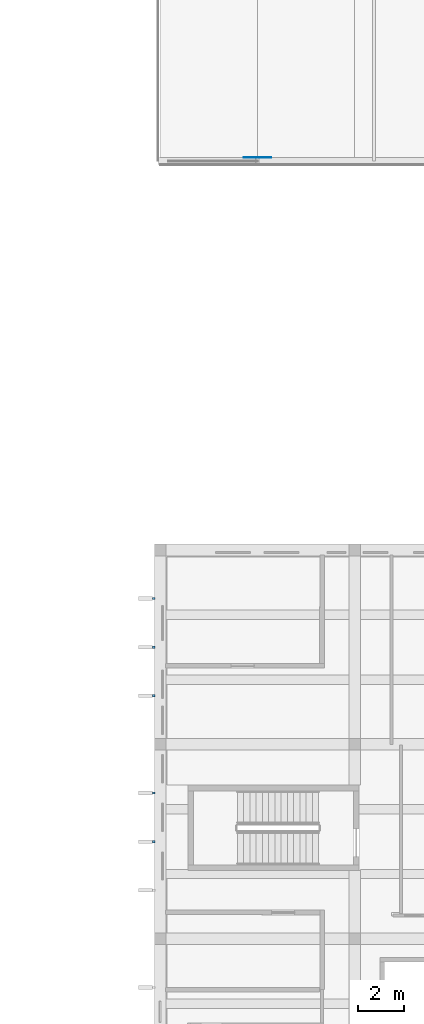
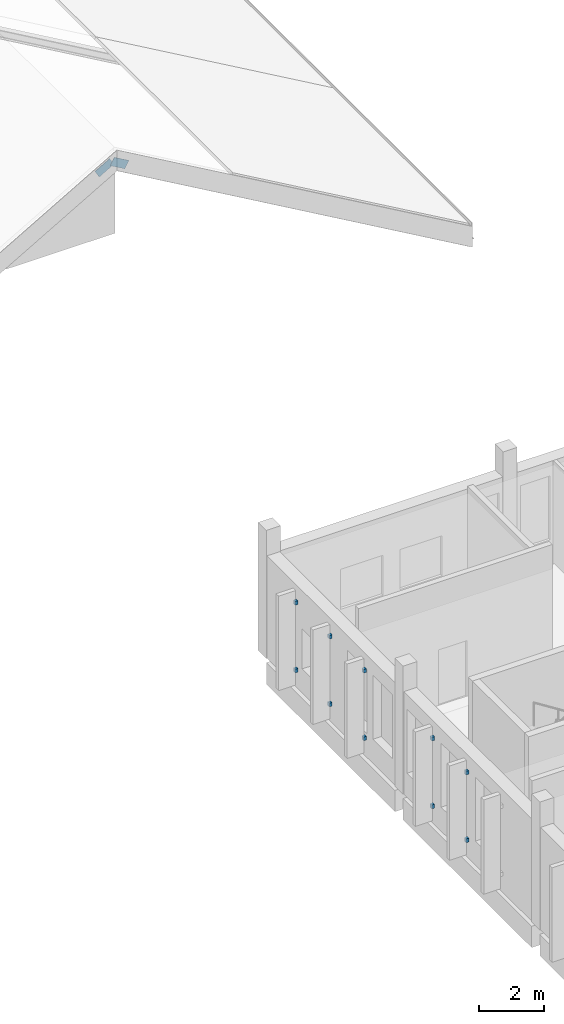
# One storey, part 18 of 37: 12 discrete accessories.
"""IFC4 building model written with IfcOpenShell, lengths in metres."""

from ifc_helpers import new_model, si_unit, direction, frame, origin, origin_2d, place, context, subcontext, project, spatial, rectangle, extrude, material, layer, layer_set, material_profile, profile_set, type_object, element, save


model = new_model("IFC4")

# Units and contexts
model_context = context("Model", 3, precision=1e-05, world=origin(), true_north=direction((0.0, 1.0)))
body_context = subcontext(model_context, "Body", "Model", "MODEL_VIEW")
ifc_project = project(units=[si_unit("LENGTHUNIT", "METRE"), si_unit("AREAUNIT", "SQUARE_METRE"), si_unit("VOLUMEUNIT", "CUBIC_METRE"), si_unit("PLANEANGLEUNIT", "RADIAN"), si_unit("MASSUNIT", "GRAM", prefix="KILO")], contexts=[model_context])

# Site, building, storey
site_placement = place(None, origin())
site = spatial("IfcSite", under=ifc_project, at=site_placement, CompositionType="ELEMENT")
building_placement = place(site_placement, origin())
building = spatial("IfcBuilding", under=site, at=building_placement, Name="Larchfold Concert Hall", CompositionType="ELEMENT")
storey_placement = place(building_placement, frame((0.0, 0.0, 19.199951171875)))
storey = spatial("IfcBuildingStorey", under=building, at=storey_placement, Name="L04", CompositionType="ELEMENT", Elevation=19.199951171875)

# Discrete accessories
ifc_material_1 = material(Name="Steel S355 galvanised bracket", Category="steel")
ifc_layer = layer(ifc_material_1, 0.10009765625)
ifc_layer_set = layer_set([ifc_layer], Name="Steel S355 galvanised bracket")
discrete_accessory_type_1 = type_object("IfcDiscreteAccessoryType", Name="Fin support bracket", PredefinedType="BRACKET", material=ifc_layer_set)
for number, where, z_axis, x_axis, name in (
    (1, (84.3251953125, 44.699951171875, 0.6298828125), (0.0, 0.0, 1.0), (-1.0, 0.0, 0.0), "Fin bracket FN-L04-001-1"),
    (2, (84.3251953125, 44.699951171875, 3.169921875), (0.0, 0.0, 1.0), (-1.0, 0.0, 0.0), "Fin bracket FN-L04-001-2"),
    (3, (84.3251953125, 46.800048828125, 0.6298828125), (0.0, 0.0, 1.0), (-1.0, 0.0, 0.0), "Fin bracket FN-L04-002-1"),
    (4, (84.3251953125, 46.800048828125, 3.169921875), (0.0, 0.0, 1.0), (-1.0, 0.0, 0.0), "Fin bracket FN-L04-002-2"),
    (5, (84.3251953125, 48.89990234375, 0.6298828125), (0.0, 0.0, 1.0), (-1.0, 0.0, 0.0), "Fin bracket FN-L04-003-1"),
    (6, (84.3251953125, 48.89990234375, 3.169921875), (0.0, 0.0, 1.0), (-1.0, 0.0, 0.0), "Fin bracket FN-L04-003-2"),
    (7, (84.3251953125, 38.39990234375, 0.6298828125), (0.0, 0.0, 1.0), (-1.0, 0.0, 0.0), "Fin bracket FN-L04-005-1"),
    (8, (84.3251953125, 38.39990234375, 3.169921875), (0.0, 0.0, 1.0), (-1.0, 0.0, 0.0), "Fin bracket FN-L04-005-2"),
    (9, (84.3251953125, 40.5, 0.6298828125), (0.0, 0.0, 1.0), (-1.0, 0.0, 0.0), "Fin bracket FN-L04-006-1"),
    (10, (84.3251953125, 40.5, 3.169921875), (0.0, 0.0, 1.0), (-1.0, 0.0, 0.0), "Fin bracket FN-L04-006-2"),
):
    element("IfcDiscreteAccessory", number, at=place(storey_placement, frame(where, z_axis=z_axis, x_axis=x_axis)), inside=storey, type_object=discrete_accessory_type_1, Name=name, PredefinedType="BRACKET", context=body_context, shape_type="SweptSolid", body=[
        extrude(rectangle(XDim=0.10009765625, YDim=0.10009765625, at=origin_2d()), origin(), (0.0, 0.0, 1.0), 0.139892578125),
    ])
ifc_material_2 = material(Name="Steel S355 galvanised bracket", Category="steel")
ifc_material_profile = material_profile(ifc_material_2, rectangle(XDim=0.01611328125, YDim=0.300048828125, at=origin_2d()))
ifc_profile_set = profile_set([ifc_material_profile], Name="Steel S355 galvanised bracket")
discrete_accessory_type_2 = type_object("IfcDiscreteAccessoryType", Name="Gusset plate 16x300", PredefinedType="BRACKET", material=ifc_profile_set)
for number, where, z_axis, x_axis, name in (
    (11, (88.280517578125, 67.9580078125, 6.34912109375), (0.865955154139, 0.0, 0.50012165622), (0.0, 1.0, 0.0), "Gusset plate GP0775"),
    (12, (88.8173828125, 67.9580078125, 6.63916015625), (0.865955154139, 0.0, -0.50012165622), (0.0, 1.0, 0.0), "Gusset plate GP0776"),
):
    element("IfcDiscreteAccessory", number, at=place(storey_placement, frame(where, z_axis=z_axis, x_axis=x_axis)), inside=storey, type_object=discrete_accessory_type_2, Name=name, PredefinedType="BRACKET", context=body_context, shape_type="SweptSolid", body=[
        extrude(rectangle(XDim=0.01611328125, YDim=0.300048828125, at=origin_2d()), origin(), (0.0, 0.0, 1.0), 0.599853515625),
    ])

save(model, "model.ifc")
